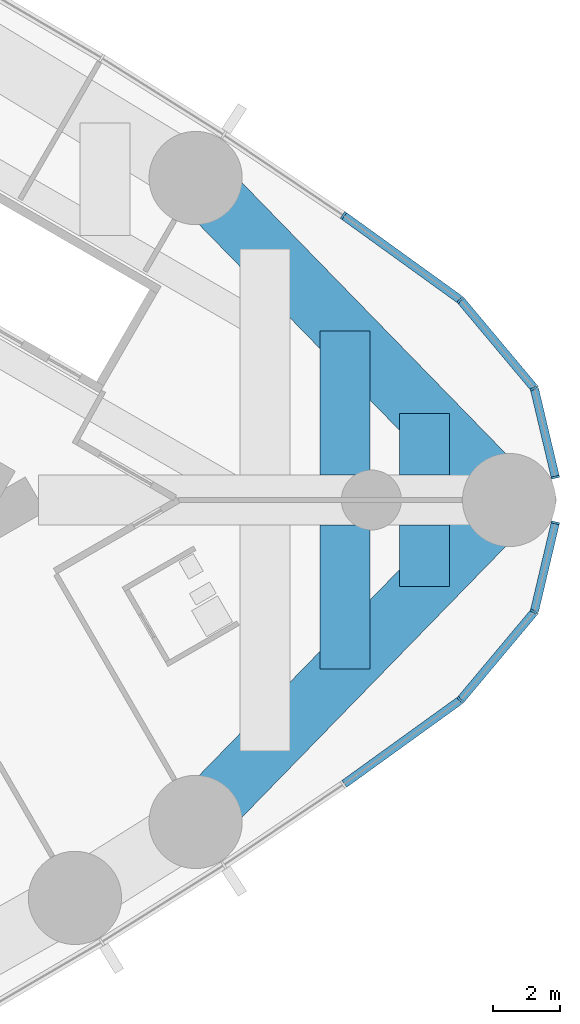
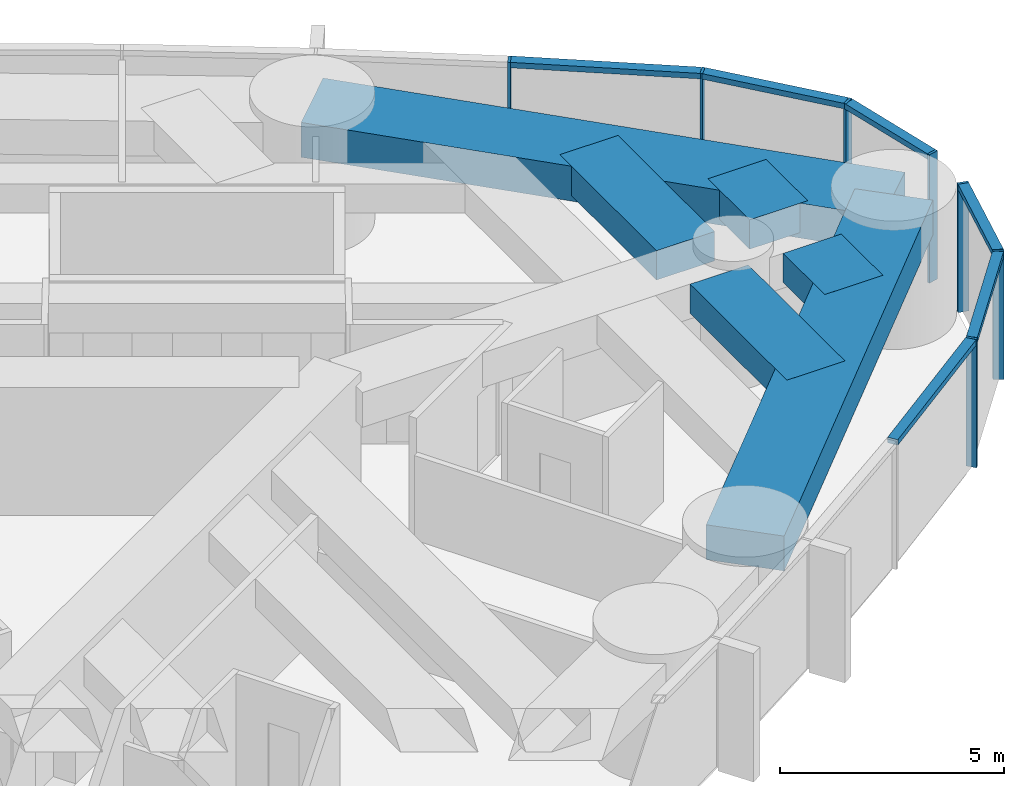
# One storey, part 9 of 18: 13 members, 6 beams, 2 elements without a shape of their own.
"""IFC4 building model written with IfcOpenShell, lengths in metres."""

from ifc_helpers import new_model, si_unit, direction, frame, origin, origin_2d, place, context, subcontext, project, spatial, rectangle, extrude, material, material_profile, profile_set, type_object, element, aggregate, save


model = new_model("IFC4")

# Units and contexts
model_context = context("Model", 3, precision=1e-05, world=origin(), true_north=direction((0.0, 1.0)))
body_context = subcontext(model_context, "Body", "Model", "MODEL_VIEW")
ifc_project = project(units=[si_unit("LENGTHUNIT", "METRE"), si_unit("AREAUNIT", "SQUARE_METRE"), si_unit("VOLUMEUNIT", "CUBIC_METRE"), si_unit("PLANEANGLEUNIT", "RADIAN"), si_unit("MASSUNIT", "GRAM", prefix="KILO")], contexts=[model_context])

# Site, building, storey
site_placement = place(None, origin())
site = spatial("IfcSite", under=ifc_project, at=site_placement, CompositionType="ELEMENT")
building_placement = place(site_placement, origin())
building = spatial("IfcBuilding", under=site, at=building_placement, Name="Lancet Gate Hotel", CompositionType="ELEMENT")
storey_placement = place(building_placement, frame((0.0, 0.0, 187.800048828125)))
storey = spatial("IfcBuildingStorey", under=building, at=storey_placement, Name="L50", CompositionType="ELEMENT", Elevation=187.800048828125)

# Curtain wall, members
ifc_material_1 = material(Name="Aluminium curtain wall", Category="aluminium")
curtain_wall_type = type_object("IfcCurtainWallType", Name="Tower unitised curtain wall", PredefinedType="USERDEFINED", material=ifc_material_1)
curtain_wall_1_placement = place(storey_placement, origin())
curtain_wall_1 = element("IfcCurtainWall", 1, at=curtain_wall_1_placement, inside=storey, type_object=curtain_wall_type, Name="T2 L50 curtain wall 2", ObjectType="UNITISED CURTAIN WALL", PredefinedType="USERDEFINED")
ifc_material_2 = material(Name="Aluminium mullion", Category="aluminium")
ifc_material_profile_1 = material_profile(ifc_material_2, rectangle(XDim=0.06494140625, YDim=0.25, at=origin_2d()), Name="MULLION 65x250")
ifc_profile_set_1 = profile_set([ifc_material_profile_1], Name="Aluminium mullion")
member_type_1 = type_object("IfcMemberType", Name="Aluminium mullion 65x250", PredefinedType="MULLION", material=ifc_profile_set_1)
member_1_placement = place(storey_placement, frame((64.174560546875, -6.01123046875, 0.0), z_axis=(0.0, 0.0, 1.0), x_axis=(0.741693452951, 0.670739011725, 0.0)))
member_1 = element("IfcMember", 2, at=member_1_placement, type_object=member_type_1, Name="T2 L50 curtain wall 2 mullion 10", PredefinedType="MULLION", context=body_context, shape_type="SweptSolid", body=[
    extrude(rectangle(XDim=0.06494140625, YDim=0.25, at=origin_2d()), origin(), (0.0, 0.0, 1.0), 3.5),
])
member_2_placement = place(storey_placement, frame((66.3935546875, -3.362548828125, 0.0), z_axis=(0.0, 0.0, 1.0), x_axis=(0.472146326362, 0.881520190638, 0.0)))
member_2 = element("IfcMember", 3, at=member_2_placement, type_object=member_type_1, Name="T2 L50 curtain wall 2 mullion 11", PredefinedType="MULLION", context=body_context, shape_type="SweptSolid", body=[
    extrude(rectangle(XDim=0.06494140625, YDim=0.25, at=origin_2d()), origin(), (0.0, 0.0, 1.0), 3.5),
])
member_3_placement = place(storey_placement, frame((67.027587890625, -0.684326171875, 0.0), z_axis=(0.0, 0.0, 1.0), x_axis=(0.230366568544, 0.973103922558, 0.0)))
member_3 = element("IfcMember", 4, at=member_3_placement, type_object=member_type_1, Name="T2 L50 curtain wall 2 mullion 12", PredefinedType="MULLION", context=body_context, shape_type="SweptSolid", body=[
    extrude(rectangle(XDim=0.06494140625, YDim=0.25, at=origin_2d()), origin(), (0.0, 0.0, 1.0), 3.5),
])

curtain_wall_2_placement = place(storey_placement, origin())
curtain_wall_2 = element("IfcCurtainWall", 5, at=curtain_wall_2_placement, inside=storey, type_object=curtain_wall_type, Name="T2 L50 curtain wall 3", ObjectType="UNITISED CURTAIN WALL", PredefinedType="USERDEFINED")
member_4_placement = place(storey_placement, frame((67.027587890625, 0.684326171875, 0.0), z_axis=(0.0, 0.0, 1.0), x_axis=(-0.230366568544, 0.973103922558, 0.0)))
member_4 = element("IfcMember", 6, at=member_4_placement, type_object=member_type_1, Name="T2 L50 curtain wall 3 mullion 1", PredefinedType="MULLION", context=body_context, shape_type="SweptSolid", body=[
    extrude(rectangle(XDim=0.06494140625, YDim=0.25, at=origin_2d()), origin(), (0.0, 0.0, 1.0), 3.5),
])
member_5_placement = place(storey_placement, frame((66.3935546875, 3.362548828125, 0.0), z_axis=(0.0, 0.0, 1.0), x_axis=(-0.472146326362, 0.881520190638, 0.0)))
member_5 = element("IfcMember", 7, at=member_5_placement, type_object=member_type_1, Name="T2 L50 curtain wall 3 mullion 2", PredefinedType="MULLION", context=body_context, shape_type="SweptSolid", body=[
    extrude(rectangle(XDim=0.06494140625, YDim=0.25, at=origin_2d()), origin(), (0.0, 0.0, 1.0), 3.5),
])
member_6_placement = place(storey_placement, frame((64.174560546875, 6.01123046875, 0.0), z_axis=(0.0, 0.0, 1.0), x_axis=(-0.741693452951, 0.670739011725, 0.0)))
member_6 = element("IfcMember", 8, at=member_6_placement, type_object=member_type_1, Name="T2 L50 curtain wall 3 mullion 3", PredefinedType="MULLION", context=body_context, shape_type="SweptSolid", body=[
    extrude(rectangle(XDim=0.06494140625, YDim=0.25, at=origin_2d()), origin(), (0.0, 0.0, 1.0), 3.5),
])
member_7_placement = place(storey_placement, frame((60.66015625, 8.547607421875, 0.0), z_axis=(0.0, 0.0, 1.0), x_axis=(-0.820068208435, 0.572265789222, 0.0)))
member_7 = element("IfcMember", 9, at=member_7_placement, type_object=member_type_1, Name="T2 L50 curtain wall 3 mullion 4", PredefinedType="MULLION", context=body_context, shape_type="SweptSolid", body=[
    extrude(rectangle(XDim=0.06494140625, YDim=0.25, at=origin_2d()), origin(), (0.0, 0.0, 1.0), 3.5),
])

# Member
ifc_material_3 = material(Name="Aluminium transom", Category="aluminium")
ifc_material_profile_2 = material_profile(ifc_material_3, rectangle(XDim=0.25, YDim=0.14990234375, at=origin_2d()), Name="TRANSOM 250x150")
ifc_profile_set_2 = profile_set([ifc_material_profile_2], Name="Aluminium transom")
member_type_2 = type_object("IfcMemberType", Name="Aluminium transom 250x150", PredefinedType="USERDEFINED", material=ifc_profile_set_2)
member_8_placement = place(storey_placement, frame((60.6865234375, -8.528564453125, 3.425048828125), z_axis=(0.810879747578, 0.585212811691, 0.0), x_axis=(-0.585212811691, 0.810879747578, 0.0)))
member_8 = element("IfcMember", 10, at=member_8_placement, type_object=member_type_2, Name="T2 L50 curtain wall 2 transom 9", ObjectType="TRANSOM", PredefinedType="USERDEFINED", context=body_context, shape_type="SweptSolid", body=[
    extrude(rectangle(XDim=0.25, YDim=0.14990234375, at=origin_2d()), origin(), (0.0, 0.0, 1.0), 4.26904296875),
])

member_9_placement = place(storey_placement, frame((64.1953125, -5.986328125, 3.425048828125), z_axis=(0.642229010215, 0.766512816878, 0.0), x_axis=(-0.766512816878, 0.642229010215, 0.0)))
member_9 = element("IfcMember", 11, at=member_9_placement, type_object=member_type_2, Name="T2 L50 curtain wall 2 transom 10", ObjectType="TRANSOM", PredefinedType="USERDEFINED", context=body_context, shape_type="SweptSolid", body=[
    extrude(rectangle(XDim=0.25, YDim=0.14990234375, at=origin_2d()), origin(), (0.0, 0.0, 1.0), 3.390625),
])

member_10_placement = place(storey_placement, frame((66.401123046875, -3.3310546875, 3.425048828125), z_axis=(0.230310174804, 0.973117271135, 0.0), x_axis=(-0.973117271135, 0.230310174804, 0.0)))
member_10 = element("IfcMember", 12, at=member_10_placement, type_object=member_type_2, Name="T2 L50 curtain wall 2 transom 11", ObjectType="TRANSOM", PredefinedType="USERDEFINED", context=body_context, shape_type="SweptSolid", body=[
    extrude(rectangle(XDim=0.25, YDim=0.14990234375, at=origin_2d()), origin(), (0.0, 0.0, 1.0), 2.687255859375),
])

aggregate(curtain_wall_1, [member_1, member_2, member_3, member_8, member_9, member_10])

member_11_placement = place(storey_placement, frame((67.02001953125, 0.716064453125, 3.425048828125), z_axis=(-0.230310174804, 0.973117271135, 0.0), x_axis=(-0.973117271135, -0.230310174804, 0.0)))
member_11 = element("IfcMember", 13, at=member_11_placement, type_object=member_type_2, Name="T2 L50 curtain wall 3 transom 1", ObjectType="TRANSOM", PredefinedType="USERDEFINED", context=body_context, shape_type="SweptSolid", body=[
    extrude(rectangle(XDim=0.25, YDim=0.14990234375, at=origin_2d()), origin(), (0.0, 0.0, 1.0), 2.687255859375),
])

member_12_placement = place(storey_placement, frame((66.372802734375, 3.387451171875, 3.425048828125), z_axis=(-0.642229010215, 0.766512816878, 0.0), x_axis=(-0.766512816878, -0.642229010215, 0.0)))
member_12 = element("IfcMember", 14, at=member_12_placement, type_object=member_type_2, Name="T2 L50 curtain wall 3 transom 2", ObjectType="TRANSOM", PredefinedType="USERDEFINED", context=body_context, shape_type="SweptSolid", body=[
    extrude(rectangle(XDim=0.25, YDim=0.14990234375, at=origin_2d()), origin(), (0.0, 0.0, 1.0), 3.390625),
])

member_13_placement = place(storey_placement, frame((64.148193359375, 6.0302734375, 3.425048828125), z_axis=(-0.810879747578, 0.585212811691, 0.0), x_axis=(-0.585212811691, -0.810879747578, 0.0)))
member_13 = element("IfcMember", 15, at=member_13_placement, type_object=member_type_2, Name="T2 L50 curtain wall 3 transom 3", ObjectType="TRANSOM", PredefinedType="USERDEFINED", context=body_context, shape_type="SweptSolid", body=[
    extrude(rectangle(XDim=0.25, YDim=0.14990234375, at=origin_2d()), origin(), (0.0, 0.0, 1.0), 4.26904296875),
])

aggregate(curtain_wall_2, [member_4, member_5, member_6, member_7, member_11, member_12, member_13])

# Beams
ifc_material_4 = material(Name="Concrete C50/60", Category="concrete")
ifc_material_profile_3 = material_profile(ifc_material_4, rectangle(XDim=1.800048828125, YDim=0.949951171875, at=origin_2d()), Name="RC 1800x950")
ifc_profile_set_3 = profile_set([ifc_material_profile_3], Name="Concrete C50/60")
beam_type_1 = type_object("IfcBeamType", Name="Edge beam RC 1800x950", PredefinedType="SPANDREL", material=ifc_profile_set_3)
for number, where, z_axis, x_axis, name in (
    (16, (56.220947265625, -9.67236328125, 2.77490234375), (0.697649905443, 0.716438838587, 0.0), (-0.716438838587, 0.697649905443, 0.0), "T2 edge beam EB1 L50"),
    (17, (65.6396484375, 0.0, 2.77490234375), (-0.697649905443, 0.716438838587, 0.0), (-0.716438838587, -0.697649905443, 0.0), "T2 edge beam EB1 L50"),
):
    element("IfcBeam", number, at=place(storey_placement, frame(where, z_axis=z_axis, x_axis=x_axis)), inside=storey, type_object=beam_type_1, Name=name, PredefinedType="SPANDREL", context=body_context, shape_type="SweptSolid", body=[
        extrude(rectangle(XDim=1.800048828125, YDim=0.949951171875, at=origin_2d()), origin(), (0.0, 0.0, 1.0), 13.500732421875),
    ])
ifc_material_5 = material(Name="Concrete C50/60", Category="concrete")
ifc_material_profile_4 = material_profile(ifc_material_5, rectangle(XDim=1.5, YDim=0.800048828125, at=origin_2d()), Name="RC 1500x800")
ifc_profile_set_4 = profile_set([ifc_material_profile_4], Name="Concrete C50/60")
beam_type_2 = type_object("IfcBeamType", Name="Floor beam RC 1500x800", PredefinedType="BEAM", material=ifc_profile_set_4)
for number, where, z_axis, x_axis, name in (
    (18, (60.7021484375, -5.0703125, 2.849853515625), (0.0, 1.0, 0.0), (-1.0, 0.0, 0.0), "T2 floor beam F14S L50"),
    (19, (60.7021484375, 0.75, 2.849853515625), (0.0, 1.0, 0.0), (-1.0, 0.0, 0.0), "T2 floor beam F15N L50"),
):
    element("IfcBeam", number, at=place(storey_placement, frame(where, z_axis=z_axis, x_axis=x_axis)), inside=storey, type_object=beam_type_2, Name=name, PredefinedType="BEAM", context=body_context, shape_type="SweptSolid", body=[
        extrude(rectangle(XDim=1.5, YDim=0.800048828125, at=origin_2d()), origin(), (0.0, 0.0, 1.0), 4.3203125),
    ])
for number, where, z_axis, x_axis, name in (
    (20, (63.102294921875, -2.605712890625, 2.849853515625), (0.0, 1.0, 0.0), (-1.0, 0.0, 0.0), "T2 floor beam F16S L50"),
    (21, (63.102294921875, 0.75, 2.849853515625), (0.0, 1.0, 0.0), (-1.0, 0.0, 0.0), "T2 floor beam F17N L50"),
):
    element("IfcBeam", number, at=place(storey_placement, frame(where, z_axis=z_axis, x_axis=x_axis)), inside=storey, type_object=beam_type_2, Name=name, PredefinedType="BEAM", context=body_context, shape_type="SweptSolid", body=[
        extrude(rectangle(XDim=1.5, YDim=0.800048828125, at=origin_2d()), origin(), (0.0, 0.0, 1.0), 1.855712890625),
    ])

save(model, "model.ifc")
